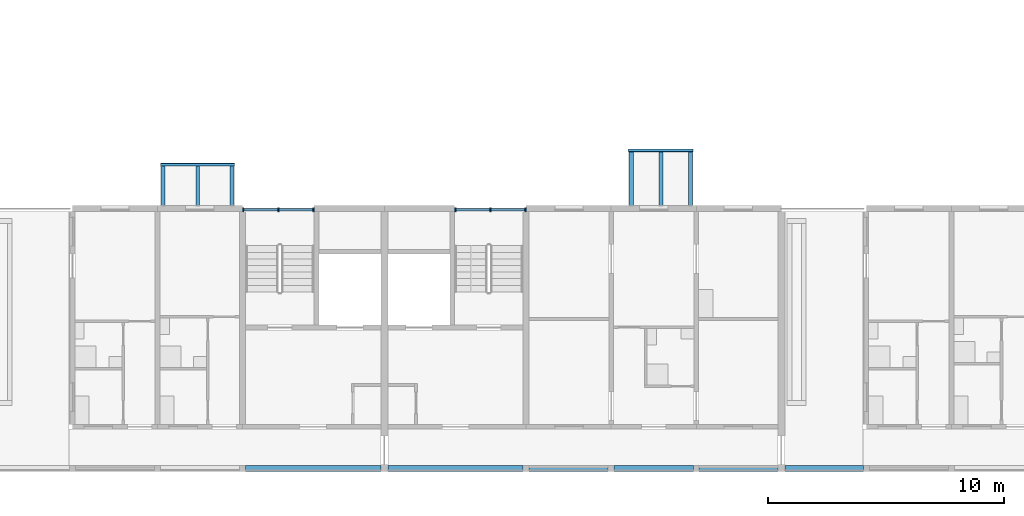
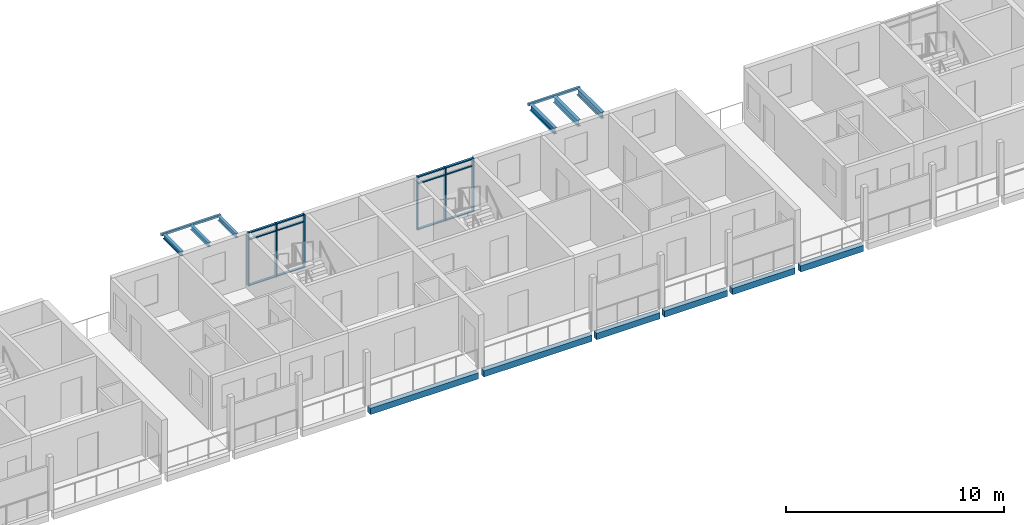
# One storey, part 6 of 78: 18 members, 14 beams, 2 elements without a shape of their own.
"""IFC4 building model written with IfcOpenShell, lengths in metres."""

from ifc_helpers import new_model, si_unit, direction, frame, origin, origin_2d, place, context, subcontext, project, spatial, rectangle, hollow_rectangle, i_section, extrude, material, material_profile, profile_set, type_object, element, aggregate, save


model = new_model("IFC4")

# Units and contexts
model_context = context("Model", 3, precision=1e-05, world=origin(), true_north=direction((0.0, 1.0)))
body_context = subcontext(model_context, "Body", "Model", "MODEL_VIEW")
ifc_project = project(units=[si_unit("LENGTHUNIT", "METRE"), si_unit("AREAUNIT", "SQUARE_METRE"), si_unit("VOLUMEUNIT", "CUBIC_METRE"), si_unit("PLANEANGLEUNIT", "RADIAN"), si_unit("MASSUNIT", "GRAM", prefix="KILO")], contexts=[model_context])

# Site, building, storey
site_placement = place(None, origin())
site = spatial("IfcSite", under=ifc_project, at=site_placement, CompositionType="ELEMENT")
building_placement = place(site_placement, origin())
building = spatial("IfcBuilding", under=site, at=building_placement, Name="Ridgestep Commons", CompositionType="ELEMENT")
storey_placement = place(building_placement, frame((0.0, 0.0, 30.0)))
storey = spatial("IfcBuildingStorey", under=building, at=storey_placement, Name="L10", CompositionType="ELEMENT", Elevation=30.0)

# Beams
ifc_material_1 = material(Name="Precast concrete C40/50", Category="concrete")
ifc_material_profile_1 = material_profile(ifc_material_1, rectangle(XDim=0.25, YDim=0.35009765625, at=origin_2d()), Name="PC 250x350")
ifc_profile_set_1 = profile_set([ifc_material_profile_1], Name="Precast concrete C40/50")
beam_type_1 = type_object("IfcBeamType", Name="Loggia edge beam 250 x 350", PredefinedType="SPANDREL", material=ifc_profile_set_1)
beam_1_placement = place(storey_placement, frame((39.72509765625, 11.875, -0.375), z_axis=(1.0, 0.0, 0.0), x_axis=(0.0, 1.0, 0.0)))
element("IfcBeam", 1, at=beam_1_placement, inside=storey, type_object=beam_type_1, Name="Loggia edge beam A2C L10", PredefinedType="SPANDREL", context=body_context, shape_type="SweptSolid", body=[
    extrude(rectangle(XDim=0.25, YDim=0.35009765625, at=origin_2d()), origin(), (0.0, 0.0, 1.0), 5.724853515625),
])
beam_2_placement = place(storey_placement, frame((45.75, 11.875, -0.375), z_axis=(1.0, 0.0, 0.0), x_axis=(0.0, 1.0, 0.0)))
element("IfcBeam", 2, at=beam_2_placement, inside=storey, type_object=beam_type_1, Name="Loggia edge beam A3C L10", PredefinedType="SPANDREL", context=body_context, shape_type="SweptSolid", body=[
    extrude(rectangle(XDim=0.25, YDim=0.35009765625, at=origin_2d()), origin(), (0.0, 0.0, 1.0), 5.72509765625),
])
beam_3_placement = place(storey_placement, frame((51.72509765625, 11.875, -0.375), z_axis=(1.0, 0.0, 0.0), x_axis=(0.0, 1.0, 0.0)))
element("IfcBeam", 3, at=beam_3_placement, inside=storey, type_object=beam_type_1, Name="Loggia edge beam A3T3 L10", PredefinedType="SPANDREL", context=body_context, shape_type="SweptSolid", body=[
    extrude(rectangle(XDim=0.25, YDim=0.35009765625, at=origin_2d()), origin(), (0.0, 0.0, 1.0), 3.349853515625),
])
beam_4_placement = place(storey_placement, frame((55.324951171875, 11.875, -0.375), z_axis=(1.0, 0.0, 0.0), x_axis=(0.0, 1.0, 0.0)))
element("IfcBeam", 4, at=beam_4_placement, inside=storey, type_object=beam_type_1, Name="Loggia edge beam A3T2 L10", PredefinedType="SPANDREL", context=body_context, shape_type="SweptSolid", body=[
    extrude(rectangle(XDim=0.25, YDim=0.35009765625, at=origin_2d()), origin(), (0.0, 0.0, 1.0), 3.35009765625),
])
for number, where, z_axis, x_axis, name in (
    (5, (58.925048828125, 11.875, -0.375), (1.0, 0.0, 0.0), (0.0, 1.0, 0.0), "Loggia edge beam A3T1 L10"),
    (6, (62.550048828125, 11.875, -0.375), (1.0, 0.0, 0.0), (0.0, 1.0, 0.0), "Loggia edge beam A4T1 L10"),
):
    element("IfcBeam", number, at=place(storey_placement, frame(where, z_axis=z_axis, x_axis=x_axis)), inside=storey, type_object=beam_type_1, Name=name, PredefinedType="SPANDREL", context=body_context, shape_type="SweptSolid", body=[
        extrude(rectangle(XDim=0.25, YDim=0.35009765625, at=origin_2d()), origin(), (0.0, 0.0, 1.0), 3.324951171875),
    ])

# Curtain wall, members
ifc_material_2 = material(Name="Aluminium 6063-T6 and glass", Category="aluminium")
curtain_wall_type = type_object("IfcCurtainWallType", Name="Curtain wall stair strip", PredefinedType="NOTDEFINED", material=ifc_material_2)
curtain_wall_1_placement = place(storey_placement, origin())
curtain_wall_1 = element("IfcCurtainWall", 7, at=curtain_wall_1_placement, inside=storey, type_object=curtain_wall_type, Name="Curtain wall A2C level 10", PredefinedType="NOTDEFINED")
ifc_material_3 = material(Name="Aluminium 6063-T6", Category="aluminium")
ifc_material_profile_2 = material_profile(ifc_material_3, rectangle(XDim=0.159912109375, YDim=0.06005859375, at=origin_2d()), Name="Mullion 60 x 160")
ifc_profile_set_2 = profile_set([ifc_material_profile_2], Name="Aluminium 6063-T6")
member_type_1 = type_object("IfcMemberType", Name="Mullion 60 x 160", PredefinedType="MULLION", material=ifc_profile_set_2)
member_1_placement = place(storey_placement, frame((39.6298828125, 22.830078125, 0.0), z_axis=(0.0, 0.0, 1.0), x_axis=(0.0, 1.0, 0.0)))
member_1 = element("IfcMember", 8, at=member_1_placement, type_object=member_type_1, Name="CW1 mullion 1", PredefinedType="MULLION", context=body_context, shape_type="SweptSolid", body=[
    extrude(rectangle(XDim=0.159912109375, YDim=0.06005859375, at=origin_2d()), origin(), (0.0, 0.0, 1.0), 3.0),
])
member_2_placement = place(storey_placement, frame((41.112548828125, 22.830078125, 0.0), z_axis=(0.0, 0.0, 1.0), x_axis=(0.0, 1.0, 0.0)))
member_2 = element("IfcMember", 9, at=member_2_placement, type_object=member_type_1, Name="CW1 mullion 2", PredefinedType="MULLION", context=body_context, shape_type="SweptSolid", body=[
    extrude(rectangle(XDim=0.159912109375, YDim=0.06005859375, at=origin_2d()), origin(), (0.0, 0.0, 1.0), 3.0),
])
member_3_placement = place(storey_placement, frame((42.594970703125, 22.830078125, 0.0), z_axis=(0.0, 0.0, 1.0), x_axis=(0.0, 1.0, 0.0)))
member_3 = element("IfcMember", 10, at=member_3_placement, type_object=member_type_1, Name="CW1 mullion 3", PredefinedType="MULLION", context=body_context, shape_type="SweptSolid", body=[
    extrude(rectangle(XDim=0.159912109375, YDim=0.06005859375, at=origin_2d()), origin(), (0.0, 0.0, 1.0), 3.0),
])

curtain_wall_2_placement = place(storey_placement, origin())
curtain_wall_2 = element("IfcCurtainWall", 11, at=curtain_wall_2_placement, inside=storey, type_object=curtain_wall_type, Name="Curtain wall A3C level 10", PredefinedType="NOTDEFINED")
member_4_placement = place(storey_placement, frame((48.60498046875, 22.830078125, 0.0), z_axis=(0.0, 0.0, 1.0), x_axis=(0.0, 1.0, 0.0)))
member_4 = element("IfcMember", 12, at=member_4_placement, type_object=member_type_1, Name="CW1 mullion 1", PredefinedType="MULLION", context=body_context, shape_type="SweptSolid", body=[
    extrude(rectangle(XDim=0.159912109375, YDim=0.06005859375, at=origin_2d()), origin(), (0.0, 0.0, 1.0), 3.0),
])
member_5_placement = place(storey_placement, frame((50.08740234375, 22.830078125, 0.0), z_axis=(0.0, 0.0, 1.0), x_axis=(0.0, 1.0, 0.0)))
member_5 = element("IfcMember", 13, at=member_5_placement, type_object=member_type_1, Name="CW1 mullion 2", PredefinedType="MULLION", context=body_context, shape_type="SweptSolid", body=[
    extrude(rectangle(XDim=0.159912109375, YDim=0.06005859375, at=origin_2d()), origin(), (0.0, 0.0, 1.0), 3.0),
])
member_6_placement = place(storey_placement, frame((51.570068359375, 22.830078125, 0.0), z_axis=(0.0, 0.0, 1.0), x_axis=(0.0, 1.0, 0.0)))
member_6 = element("IfcMember", 14, at=member_6_placement, type_object=member_type_1, Name="CW1 mullion 3", PredefinedType="MULLION", context=body_context, shape_type="SweptSolid", body=[
    extrude(rectangle(XDim=0.159912109375, YDim=0.06005859375, at=origin_2d()), origin(), (0.0, 0.0, 1.0), 3.0),
])

# Member
ifc_material_4 = material(Name="Aluminium 6063-T6", Category="aluminium")
ifc_material_profile_3 = material_profile(ifc_material_4, rectangle(XDim=0.1201171875, YDim=0.06005859375, at=origin_2d()), Name="Transom 60 x 120")
ifc_profile_set_3 = profile_set([ifc_material_profile_3], Name="Aluminium 6063-T6")
member_type_2 = type_object("IfcMemberType", Name="Transom 60 x 120", PredefinedType="USERDEFINED", material=ifc_profile_set_3)
member_7_placement = place(storey_placement, frame((39.659912109375, 22.830078125, 0.030029296875), z_axis=(1.0, 0.0, 0.0), x_axis=(0.0, 1.0, 0.0)))
member_7 = element("IfcMember", 15, at=member_7_placement, type_object=member_type_2, Name="CW1 transom 1.1", ObjectType="TRANSOM", PredefinedType="USERDEFINED", context=body_context, shape_type="SweptSolid", body=[
    extrude(rectangle(XDim=0.1201171875, YDim=0.06005859375, at=origin_2d()), origin(), (0.0, 0.0, 1.0), 1.422607421875),
])

member_8_placement = place(storey_placement, frame((39.659912109375, 22.830078125, 2.590087890625), z_axis=(1.0, 0.0, 0.0), x_axis=(0.0, 1.0, 0.0)))
member_8 = element("IfcMember", 16, at=member_8_placement, type_object=member_type_2, Name="CW1 transom 1.2", ObjectType="TRANSOM", PredefinedType="USERDEFINED", context=body_context, shape_type="SweptSolid", body=[
    extrude(rectangle(XDim=0.1201171875, YDim=0.06005859375, at=origin_2d()), origin(), (0.0, 0.0, 1.0), 1.422607421875),
])

member_9_placement = place(storey_placement, frame((39.659912109375, 22.830078125, 2.969970703125), z_axis=(1.0, 0.0, 0.0), x_axis=(0.0, 1.0, 0.0)))
member_9 = element("IfcMember", 17, at=member_9_placement, type_object=member_type_2, Name="CW1 transom 1.3", ObjectType="TRANSOM", PredefinedType="USERDEFINED", context=body_context, shape_type="SweptSolid", body=[
    extrude(rectangle(XDim=0.1201171875, YDim=0.06005859375, at=origin_2d()), origin(), (0.0, 0.0, 1.0), 1.422607421875),
])

member_10_placement = place(storey_placement, frame((41.142578125, 22.830078125, 0.030029296875), z_axis=(1.0, 0.0, 0.0), x_axis=(0.0, 1.0, 0.0)))
member_10 = element("IfcMember", 18, at=member_10_placement, type_object=member_type_2, Name="CW1 transom 2.1", ObjectType="TRANSOM", PredefinedType="USERDEFINED", context=body_context, shape_type="SweptSolid", body=[
    extrude(rectangle(XDim=0.1201171875, YDim=0.06005859375, at=origin_2d()), origin(), (0.0, 0.0, 1.0), 1.42236328125),
])

member_11_placement = place(storey_placement, frame((41.142578125, 22.830078125, 2.590087890625), z_axis=(1.0, 0.0, 0.0), x_axis=(0.0, 1.0, 0.0)))
member_11 = element("IfcMember", 19, at=member_11_placement, type_object=member_type_2, Name="CW1 transom 2.2", ObjectType="TRANSOM", PredefinedType="USERDEFINED", context=body_context, shape_type="SweptSolid", body=[
    extrude(rectangle(XDim=0.1201171875, YDim=0.06005859375, at=origin_2d()), origin(), (0.0, 0.0, 1.0), 1.42236328125),
])

member_12_placement = place(storey_placement, frame((41.142578125, 22.830078125, 2.969970703125), z_axis=(1.0, 0.0, 0.0), x_axis=(0.0, 1.0, 0.0)))
member_12 = element("IfcMember", 20, at=member_12_placement, type_object=member_type_2, Name="CW1 transom 2.3", ObjectType="TRANSOM", PredefinedType="USERDEFINED", context=body_context, shape_type="SweptSolid", body=[
    extrude(rectangle(XDim=0.1201171875, YDim=0.06005859375, at=origin_2d()), origin(), (0.0, 0.0, 1.0), 1.42236328125),
])

aggregate(curtain_wall_1, [member_1, member_2, member_3, member_7, member_8, member_9, member_10, member_11, member_12])

member_13_placement = place(storey_placement, frame((48.635009765625, 22.830078125, 0.030029296875), z_axis=(1.0, 0.0, 0.0), x_axis=(0.0, 1.0, 0.0)))
member_13 = element("IfcMember", 21, at=member_13_placement, type_object=member_type_2, Name="CW1 transom 1.1", ObjectType="TRANSOM", PredefinedType="USERDEFINED", context=body_context, shape_type="SweptSolid", body=[
    extrude(rectangle(XDim=0.1201171875, YDim=0.06005859375, at=origin_2d()), origin(), (0.0, 0.0, 1.0), 1.422607421875),
])

member_14_placement = place(storey_placement, frame((48.635009765625, 22.830078125, 2.590087890625), z_axis=(1.0, 0.0, 0.0), x_axis=(0.0, 1.0, 0.0)))
member_14 = element("IfcMember", 22, at=member_14_placement, type_object=member_type_2, Name="CW1 transom 1.2", ObjectType="TRANSOM", PredefinedType="USERDEFINED", context=body_context, shape_type="SweptSolid", body=[
    extrude(rectangle(XDim=0.1201171875, YDim=0.06005859375, at=origin_2d()), origin(), (0.0, 0.0, 1.0), 1.422607421875),
])

member_15_placement = place(storey_placement, frame((48.635009765625, 22.830078125, 2.969970703125), z_axis=(1.0, 0.0, 0.0), x_axis=(0.0, 1.0, 0.0)))
member_15 = element("IfcMember", 23, at=member_15_placement, type_object=member_type_2, Name="CW1 transom 1.3", ObjectType="TRANSOM", PredefinedType="USERDEFINED", context=body_context, shape_type="SweptSolid", body=[
    extrude(rectangle(XDim=0.1201171875, YDim=0.06005859375, at=origin_2d()), origin(), (0.0, 0.0, 1.0), 1.422607421875),
])

member_16_placement = place(storey_placement, frame((50.117431640625, 22.830078125, 0.030029296875), z_axis=(1.0, 0.0, 0.0), x_axis=(0.0, 1.0, 0.0)))
member_16 = element("IfcMember", 24, at=member_16_placement, type_object=member_type_2, Name="CW1 transom 2.1", ObjectType="TRANSOM", PredefinedType="USERDEFINED", context=body_context, shape_type="SweptSolid", body=[
    extrude(rectangle(XDim=0.1201171875, YDim=0.06005859375, at=origin_2d()), origin(), (0.0, 0.0, 1.0), 1.422607421875),
])

member_17_placement = place(storey_placement, frame((50.117431640625, 22.830078125, 2.590087890625), z_axis=(1.0, 0.0, 0.0), x_axis=(0.0, 1.0, 0.0)))
member_17 = element("IfcMember", 25, at=member_17_placement, type_object=member_type_2, Name="CW1 transom 2.2", ObjectType="TRANSOM", PredefinedType="USERDEFINED", context=body_context, shape_type="SweptSolid", body=[
    extrude(rectangle(XDim=0.1201171875, YDim=0.06005859375, at=origin_2d()), origin(), (0.0, 0.0, 1.0), 1.422607421875),
])

member_18_placement = place(storey_placement, frame((50.117431640625, 22.830078125, 2.969970703125), z_axis=(1.0, 0.0, 0.0), x_axis=(0.0, 1.0, 0.0)))
member_18 = element("IfcMember", 26, at=member_18_placement, type_object=member_type_2, Name="CW1 transom 2.3", ObjectType="TRANSOM", PredefinedType="USERDEFINED", context=body_context, shape_type="SweptSolid", body=[
    extrude(rectangle(XDim=0.1201171875, YDim=0.06005859375, at=origin_2d()), origin(), (0.0, 0.0, 1.0), 1.422607421875),
])

aggregate(curtain_wall_2, [member_4, member_5, member_6, member_13, member_14, member_15, member_16, member_17, member_18])

# Beams
ifc_material_5 = material(Name="Weathering steel S355J2W", Category="steel")
ifc_material_profile_4 = material_profile(ifc_material_5, i_section(OverallWidth=0.14599609375, OverallDepth=0.25146484375, WebThickness=0.006103515625, FlangeThickness=0.008544921875, FilletRadius=0.007568359375, at=origin_2d()), Name="UB 254x146x31")
ifc_profile_set_4 = profile_set([ifc_material_profile_4], Name="Weathering steel S355J2W")
beam_type_2 = type_object("IfcBeamType", Name="Tray arm UB 254x146x31", PredefinedType="BEAM", material=ifc_profile_set_4)
for number, where, z_axis, x_axis, name in (
    (27, (36.25, 23.014892578125, 2.8642578125), (0.0, 1.0, 0.0), (-1.0, 0.0, 0.0), "Tray arm A2T3-11.1"),
    (28, (37.699951171875, 23.014892578125, 2.8642578125), (0.0, 1.0, 0.0), (-1.0, 0.0, 0.0), "Tray arm A2T3-11.2"),
    (29, (39.14990234375, 23.014892578125, 2.8642578125), (0.0, 1.0, 0.0), (-1.0, 0.0, 0.0), "Tray arm A2T3-11.3"),
):
    element("IfcBeam", number, at=place(storey_placement, frame(where, z_axis=z_axis, x_axis=x_axis)), inside=storey, type_object=beam_type_2, Name=name, PredefinedType="BEAM", context=body_context, shape_type="SweptSolid", body=[
        extrude(i_section(OverallWidth=0.14599609375, OverallDepth=0.25146484375, WebThickness=0.006103515625, FlangeThickness=0.008544921875, FilletRadius=0.007568359375, at=origin_2d()), origin(), (0.0, 0.0, 1.0), 1.6650390625),
    ])
ifc_material_6 = material(Name="Weathering steel S355J2W", Category="steel")
ifc_material_profile_5 = material_profile(ifc_material_6, i_section(OverallWidth=0.171142578125, OverallDepth=0.351318359375, WebThickness=0.007080078125, FlangeThickness=0.009765625, FilletRadius=0.01025390625, at=origin_2d()), Name="UB 356x171x45")
ifc_profile_set_5 = profile_set([ifc_material_profile_5], Name="Weathering steel S355J2W")
beam_type_3 = type_object("IfcBeamType", Name="Tray arm UB 356x171x45", PredefinedType="BEAM", material=ifc_profile_set_5)
for number, where, z_axis, x_axis, name in (
    (30, (56.050048828125, 23.014892578125, 2.814208984375), (0.0, 1.0, 0.0), (-1.0, 0.0, 0.0), "Tray arm A3T2-11.1"),
    (31, (57.300048828125, 23.014892578125, 2.814208984375), (0.0, 1.0, 0.0), (-1.0, 0.0, 0.0), "Tray arm A3T2-11.2"),
    (32, (58.550048828125, 23.014892578125, 2.814208984375), (0.0, 1.0, 0.0), (-1.0, 0.0, 0.0), "Tray arm A3T2-11.3"),
):
    element("IfcBeam", number, at=place(storey_placement, frame(where, z_axis=z_axis, x_axis=x_axis)), inside=storey, type_object=beam_type_3, Name=name, PredefinedType="BEAM", context=body_context, shape_type="SweptSolid", body=[
        extrude(i_section(OverallWidth=0.171142578125, OverallDepth=0.351318359375, WebThickness=0.007080078125, FlangeThickness=0.009765625, FilletRadius=0.01025390625, at=origin_2d()), origin(), (0.0, 0.0, 1.0), 2.26513671875),
    ])
ifc_material_7 = material(Name="Weathering steel S355J2W", Category="steel")
ifc_material_profile_6 = material_profile(ifc_material_7, hollow_rectangle(XDim=0.1201171875, YDim=0.1201171875, WallThickness=0.00634765625, InnerFilletRadius=0.00634765625, OuterFilletRadius=0.009521484375, at=origin_2d()), Name="SHS 120x120x6.3")
ifc_profile_set_6 = profile_set([ifc_material_profile_6], Name="Weathering steel S355J2W")
beam_type_4 = type_object("IfcBeamType", Name="Tray edge member SHS 120x120x6.3", PredefinedType="BEAM", material=ifc_profile_set_6)
beam_5_placement = place(storey_placement, frame((55.929931640625, 25.340087890625, 2.929931640625), z_axis=(1.0, 0.0, 0.0), x_axis=(0.0, 0.0, 1.0)))
element("IfcBeam", 33, at=beam_5_placement, inside=storey, type_object=beam_type_4, Name="Tray edge member A3T2-11", PredefinedType="BEAM", context=body_context, shape_type="SweptSolid", body=[
    extrude(hollow_rectangle(XDim=0.1201171875, YDim=0.1201171875, WallThickness=0.00634765625, InnerFilletRadius=0.00634765625, OuterFilletRadius=0.009521484375, at=origin_2d()), origin(), (0.0, 0.0, 1.0), 2.739990234375),
])
beam_6_placement = place(storey_placement, frame((36.1298828125, 24.739990234375, 2.929931640625), z_axis=(1.0, 0.0, 0.0), x_axis=(0.0, 0.0, 1.0)))
element("IfcBeam", 34, at=beam_6_placement, inside=storey, type_object=beam_type_4, Name="Tray edge member A2T3-11", PredefinedType="BEAM", context=body_context, shape_type="SweptSolid", body=[
    extrude(hollow_rectangle(XDim=0.1201171875, YDim=0.1201171875, WallThickness=0.00634765625, InnerFilletRadius=0.00634765625, OuterFilletRadius=0.009521484375, at=origin_2d()), origin(), (0.0, 0.0, 1.0), 3.14013671875),
])

save(model, "model.ifc")
